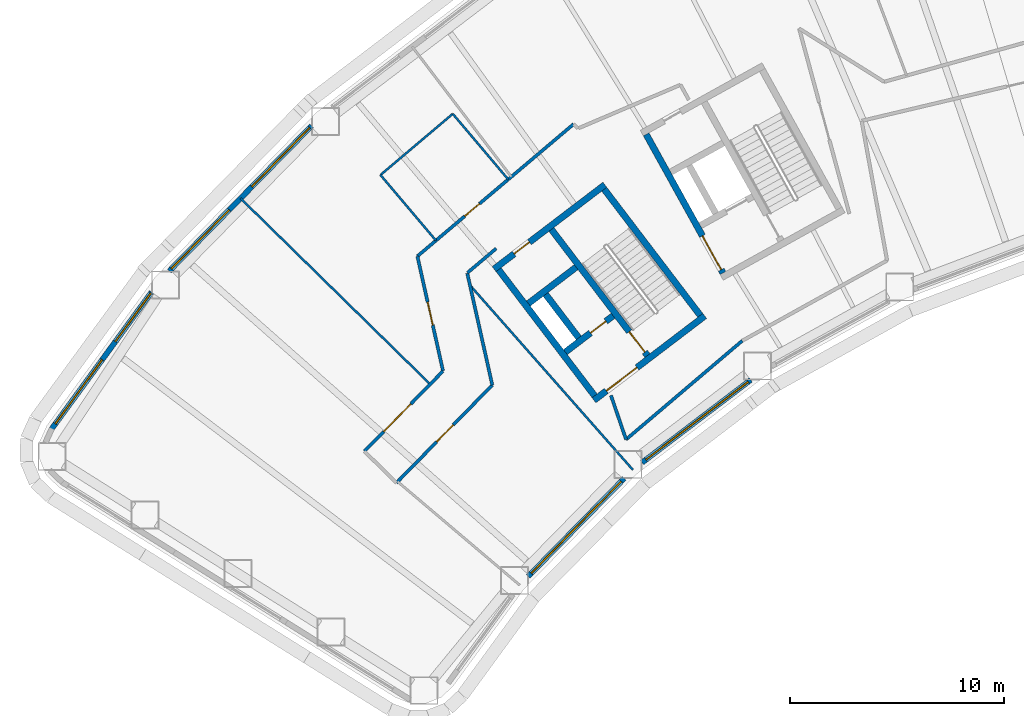
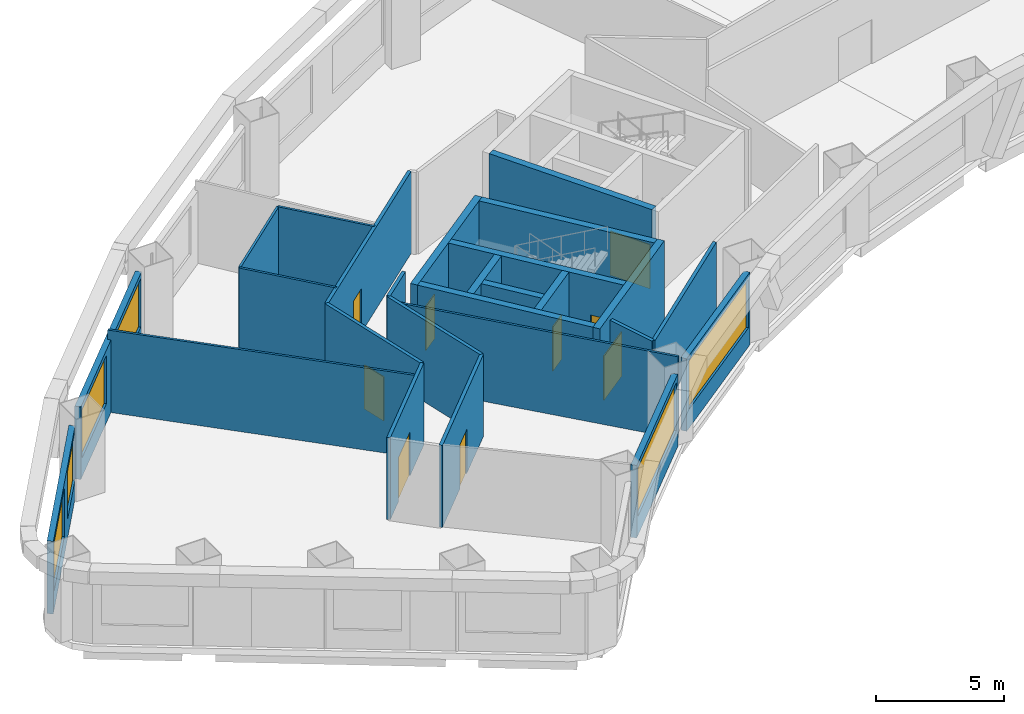
# One storey, part 3 of 11: 26 walls, 9 doors, 6 windows, 15 openings.
"""IFC4 building model written with IfcOpenShell, lengths in metres."""

from ifc_helpers import new_model, si_unit, direction, frame, frame_2d, origin, place, context, subcontext, project, spatial, rectangle, extrude, material, layer, layer_set, type_object, element, fill, save


model = new_model("IFC4")

# Units and contexts
model_context = context("Model", 3, precision=1e-05, world=origin(), true_north=direction((0.0, 1.0)))
body_context = subcontext(model_context, "Body", "Model", "MODEL_VIEW")
ifc_project = project(units=[si_unit("LENGTHUNIT", "METRE"), si_unit("AREAUNIT", "SQUARE_METRE"), si_unit("VOLUMEUNIT", "CUBIC_METRE"), si_unit("PLANEANGLEUNIT", "RADIAN"), si_unit("MASSUNIT", "GRAM", prefix="KILO")], contexts=[model_context])

# Site, building, storey
site_placement = place(None, origin())
site = spatial("IfcSite", under=ifc_project, at=site_placement, CompositionType="ELEMENT")
building_placement = place(site_placement, origin())
building = spatial("IfcBuilding", under=site, at=building_placement, Name="Tuul Gate Civic Tower", CompositionType="ELEMENT")
storey_placement = place(building_placement, frame((0.0, 0.0, 35.699951171875)))
storey = spatial("IfcBuildingStorey", under=building, at=storey_placement, Name="Level 07", CompositionType="ELEMENT", Elevation=35.699951171875)

# Wall, opening, door
ifc_material_1 = material(Name="Concrete C50/60", Category="concrete")
ifc_layer_1 = layer(ifc_material_1, 0.300048828125)
ifc_layer_set_1 = layer_set([ifc_layer_1], Name="Concrete C50/60")
wall_type_1 = type_object("IfcWallType", Name="Core wall C50/60", PredefinedType="SHEAR", material=ifc_layer_set_1)
wall_1_placement = place(storey_placement, frame((-31.19091796875, -13.669677734375, 0.0), z_axis=(0.0, 0.0, 1.0), x_axis=(-0.795606717756, -0.605813461934, 0.0)))
wall_1 = element("IfcWall", 1, at=wall_1_placement, inside=storey, type_object=wall_type_1, Name="Core wall", PredefinedType="SHEAR", context=body_context, shape_type="SweptSolid", body=[
    extrude(rectangle(XDim=6.5, YDim=0.300048828125, at=frame_2d((3.25, 0.0))), origin(), (0.0, 0.0, 1.0), 3.900146484375),
])
opening_1_placement = place(wall_1_placement, frame((3.97509765625, 0.0, 0.0)))
opening_1 = element("IfcOpeningElement", 2, at=opening_1_placement, cuts=wall_1, Name="Opening LB-W1-LOBBY-1", PredefinedType="OPENING", context=body_context, shape_type="SweptSolid", body=[
    extrude(rectangle(XDim=1.800048828125, YDim=2.10009765625, at=frame_2d((0.89990234375, 1.050048828125))), frame((0.0, 0.16015625, 0.0), z_axis=(0.0, -1.0, 0.0), x_axis=(1.0, 0.0, 0.0)), (0.0, 0.0, 1.0), 0.320068359375),
])
ifc_material_2 = material(Name="Steel", Category="steel")
door_type_1 = type_object("IfcDoorType", Name="Lobby door", OperationType="DOUBLE_DOOR_SINGLE_SWING", PredefinedType="DOOR", material=ifc_material_2)
door_1_placement = place(opening_1_placement, origin())
door_1 = element("IfcDoor", 3, at=door_1_placement, inside=storey, type_object=door_type_1, Name="Lobby door W1-LOBBY", OperationType="DOUBLE_DOOR_SINGLE_SWING", OverallHeight=2.10009765625, OverallWidth=1.800048828125, PredefinedType="DOOR", context=body_context, shape_type="SweptSolid", body=[
    extrude(rectangle(XDim=1.800048828125, YDim=2.10009765625, at=frame_2d((0.89990234375, 1.050048828125))), frame((0.0, 0.02490234375, 0.0), z_axis=(0.0, -1.0, 0.0), x_axis=(1.0, 0.0, 0.0)), (0.0, 0.0, 1.0), 0.050048828125),
])
fill(opening_1, door_1)

wall_2_placement = place(storey_placement, frame((-35.470947265625, -13.66064453125, 0.0), z_axis=(0.0, 0.0, 1.0), x_axis=(-0.795615822227, -0.605801504968, 0.0)))
wall_2 = element("IfcWall", 4, at=wall_2_placement, inside=storey, type_object=wall_type_1, Name="Core wall", PredefinedType="SHEAR", context=body_context, shape_type="SweptSolid", body=[
    extrude(rectangle(XDim=2.800048828125, YDim=0.300048828125, at=frame_2d((1.39990234375, 0.0))), origin(), (0.0, 0.0, 1.0), 3.900146484375),
])
opening_2_placement = place(wall_2_placement, frame((0.425048828125, 0.0, 0.0)))
opening_2 = element("IfcOpeningElement", 5, at=opening_2_placement, cuts=wall_2, Name="Opening FB-W1A1", PredefinedType="OPENING", context=body_context, shape_type="SweptSolid", body=[
    extrude(rectangle(XDim=0.89990234375, YDim=2.10009765625, at=frame_2d((0.449951171875, 1.050048828125))), frame((0.0, 0.16015625, 0.0), z_axis=(0.0, -1.0, 0.0), x_axis=(1.0, 0.0, 0.0)), (0.0, 0.0, 1.0), 0.320068359375),
])
ifc_material_3 = material(Name="Steel", Category="steel")
door_type_2 = type_object("IfcDoorType", Name="Store door", OperationType="NOTDEFINED", PredefinedType="DOOR", material=ifc_material_3)
door_2_placement = place(opening_2_placement, frame((0.89990234375, 0.0, 0.0), z_axis=(0.0, 0.0, 1.0), x_axis=(-1.0, 0.0, 0.0)))
door_2 = element("IfcDoor", 6, at=door_2_placement, inside=storey, type_object=door_type_2, Name="Store door W1A1", OperationType="SINGLE_SWING_RIGHT", OverallHeight=2.10009765625, OverallWidth=0.89990234375, PredefinedType="DOOR", context=body_context, shape_type="SweptSolid", body=[
    extrude(rectangle(XDim=0.89990234375, YDim=2.10009765625, at=frame_2d((0.449951171875, 1.050048828125))), frame((0.0, 0.02490234375, 0.0), z_axis=(0.0, -1.0, 0.0), x_axis=(1.0, 0.0, 0.0)), (0.0, 0.0, 1.0), 0.050048828125),
])
fill(opening_2, door_2)

# Wall
wall_3_placement = place(storey_placement, frame((-37.197509765625, -11.39306640625, 0.0), z_axis=(0.0, 0.0, 1.0), x_axis=(-0.795583820278, -0.605843531707, 0.0)))
element("IfcWall", 7, at=wall_3_placement, inside=storey, type_object=wall_type_1, Name="Core wall", PredefinedType="SHEAR", context=body_context, shape_type="SweptSolid", body=[
    extrude(rectangle(XDim=2.7998046875, YDim=0.300048828125, at=frame_2d((1.39990234375, 0.0))), origin(), (0.0, 0.0, 1.0), 3.900146484375),
])

# Wall, opening, door
wall_4_placement = place(storey_placement, frame((-35.855224609375, -7.543212890625, 0.0), z_axis=(0.0, 0.0, 1.0), x_axis=(-0.79563860527, -0.605771582202, 0.0)))
wall_4 = element("IfcWall", 8, at=wall_4_placement, inside=storey, type_object=wall_type_1, Name="Core wall", PredefinedType="SHEAR", context=body_context, shape_type="SweptSolid", body=[
    extrude(rectangle(XDim=6.5, YDim=0.300048828125, at=frame_2d((3.25, 0.0))), origin(), (0.0, 0.0, 1.0), 3.900146484375),
])
opening_3_placement = place(wall_4_placement, frame((4.425048828125, 0.0, 0.0)))
opening_3 = element("IfcOpeningElement", 9, at=opening_3_placement, cuts=wall_4, Name="Opening A-D19", PredefinedType="OPENING", context=body_context, shape_type="SweptSolid", body=[
    extrude(rectangle(XDim=0.89990234375, YDim=2.10009765625, at=frame_2d((0.449951171875, 1.050048828125))), frame((0.0, 0.16015625, 0.0), z_axis=(0.0, -1.0, 0.0), x_axis=(1.0, 0.0, 0.0)), (0.0, 0.0, 1.0), 0.320068359375),
])
ifc_material_4 = material(Name="Timber door leaf", Category="wood")
door_type_3 = type_object("IfcDoorType", Name="Door D09", OperationType="NOTDEFINED", PredefinedType="DOOR", material=ifc_material_4)
door_3_placement = place(opening_3_placement, origin())
door_3 = element("IfcDoor", 10, at=door_3_placement, inside=storey, type_object=door_type_3, Name="Door A-D19", OperationType="SINGLE_SWING_LEFT", OverallHeight=2.10009765625, OverallWidth=0.89990234375, PredefinedType="DOOR", context=body_context, shape_type="SweptSolid", body=[
    extrude(rectangle(XDim=0.89990234375, YDim=2.10009765625, at=frame_2d((0.449951171875, 1.050048828125))), frame((0.0, 0.02490234375, 0.0), z_axis=(0.0, -1.0, 0.0), x_axis=(1.0, 0.0, 0.0)), (0.0, 0.0, 1.0), 0.050048828125),
])
fill(opening_3, door_3)

# Wall
wall_5_placement = place(storey_placement, frame((-31.401123046875, -13.64111328125, 0.0), z_axis=(0.0, 0.0, 1.0), x_axis=(-0.605769822278, 0.795639945213, 0.0)))
element("IfcWall", 11, at=wall_5_placement, inside=storey, type_object=wall_type_1, Name="Core wall", PredefinedType="SHEAR", context=body_context, shape_type="SweptSolid", body=[
    extrude(rectangle(XDim=7.39990234375, YDim=0.300048828125, at=frame_2d((3.699951171875, 0.0))), origin(), (0.0, 0.0, 1.0), 3.900146484375),
])

# Wall, opening, door
wall_6_placement = place(storey_placement, frame((-33.867431640625, -15.51904296875, 0.0), z_axis=(0.0, 0.0, 1.0), x_axis=(-0.605769822278, 0.795639945213, 0.0)))
wall_6 = element("IfcWall", 12, at=wall_6_placement, inside=storey, type_object=wall_type_1, Name="Core wall", PredefinedType="SHEAR", context=body_context, shape_type="SweptSolid", body=[
    extrude(rectangle(XDim=7.39990234375, YDim=0.300048828125, at=frame_2d((3.699951171875, 0.0))), origin(), (0.0, 0.0, 1.0), 3.900146484375),
])
opening_4_placement = place(wall_6_placement, frame((0.199951171875, 0.0, 0.0)))
opening_4 = element("IfcOpeningElement", 13, at=opening_4_placement, cuts=wall_6, Name="Opening SD-ST-1", PredefinedType="OPENING", context=body_context, shape_type="SweptSolid", body=[
    extrude(rectangle(XDim=1.199951171875, YDim=2.10009765625, at=frame_2d((0.60009765625, 1.050048828125))), frame((0.0, 0.16015625, 0.0), z_axis=(0.0, -1.0, 0.0), x_axis=(1.0, 0.0, 0.0)), (0.0, 0.0, 1.0), 0.320068359375),
])
ifc_material_5 = material(Name="Steel", Category="steel")
door_type_4 = type_object("IfcDoorType", Name="Stair door", OperationType="NOTDEFINED", PredefinedType="DOOR", material=ifc_material_5)
door_4_placement = place(opening_4_placement, origin())
door_4 = element("IfcDoor", 14, at=door_4_placement, inside=storey, type_object=door_type_4, Name="Stair door ST-1", OperationType="SINGLE_SWING_LEFT", OverallHeight=2.10009765625, OverallWidth=1.199951171875, PredefinedType="DOOR", context=body_context, shape_type="SweptSolid", body=[
    extrude(rectangle(XDim=1.199951171875, YDim=2.10009765625, at=frame_2d((0.60009765625, 1.050048828125))), frame((0.0, 0.02490234375, 0.0), z_axis=(0.0, -1.0, 0.0), x_axis=(1.0, 0.0, 0.0)), (0.0, 0.0, 1.0), 0.050048828125),
])
fill(opening_4, door_4)

# Walls
wall_7_placement = place(storey_placement, frame((-37.073486328125, -14.6923828125, 0.0), z_axis=(0.0, 0.0, 1.0), x_axis=(-0.605728760074, 0.79567120673, 0.0)))
element("IfcWall", 15, at=wall_7_placement, inside=storey, type_object=wall_type_1, Name="Core wall", PredefinedType="SHEAR", context=body_context, shape_type="SweptSolid", body=[
    extrude(rectangle(XDim=2.550048828125, YDim=0.300048828125, at=frame_2d((1.27490234375, 0.0))), origin(), (0.0, 0.0, 1.0), 3.900146484375),
])
wall_8_placement = place(storey_placement, frame((-36.333984375, -17.397216796875, 0.0), z_axis=(0.0, 0.0, 1.0), x_axis=(-0.605753921168, 0.795652051458, 0.0)))
element("IfcWall", 16, at=wall_8_placement, inside=storey, type_object=wall_type_1, Name="Core wall", PredefinedType="SHEAR", context=body_context, shape_type="SweptSolid", body=[
    extrude(rectangle(XDim=7.400146484375, YDim=0.300048828125, at=frame_2d((3.7001953125, 0.0))), origin(), (0.0, 0.0, 1.0), 3.900146484375),
])

# Wall, opening, door
wall_9_placement = place(storey_placement, frame((-30.33837890625, -11.6630859375, 0.0), z_axis=(0.0, 0.0, 1.0), x_axis=(-0.484751894226, 0.874651702704, 0.0)))
wall_9 = element("IfcWall", 17, at=wall_9_placement, inside=storey, type_object=wall_type_1, Name="Core wall", PredefinedType="SHEAR", context=body_context, shape_type="SweptSolid", body=[
    extrude(rectangle(XDim=7.39990234375, YDim=0.300048828125, at=frame_2d((3.699951171875, 0.0))), origin(), (0.0, 0.0, 1.0), 3.900146484375),
])
opening_5_placement = place(wall_9_placement, frame((0.175048828125, 0.0, 0.0)))
opening_5 = element("IfcOpeningElement", 18, at=opening_5_placement, cuts=wall_9, Name="Opening LB-W2-FLOBBY-1", PredefinedType="OPENING", context=body_context, shape_type="SweptSolid", body=[
    extrude(rectangle(XDim=1.800048828125, YDim=2.10009765625, at=frame_2d((0.89990234375, 1.050048828125))), frame((0.0, 0.16015625, 0.0), z_axis=(0.0, -1.0, 0.0), x_axis=(1.0, 0.0, 0.0)), (0.0, 0.0, 1.0), 0.320068359375),
])
door_5_placement = place(opening_5_placement, frame((1.800048828125, 0.0, 0.0), z_axis=(0.0, 0.0, 1.0), x_axis=(-1.0, 0.0, 0.0)))
door_5 = element("IfcDoor", 19, at=door_5_placement, inside=storey, type_object=door_type_1, Name="Lobby door W2-FLOBBY", OperationType="DOUBLE_DOOR_SINGLE_SWING", OverallHeight=2.10009765625, OverallWidth=1.800048828125, PredefinedType="DOOR", context=body_context, shape_type="SweptSolid", body=[
    extrude(rectangle(XDim=1.800048828125, YDim=2.10009765625, at=frame_2d((0.900146484375, 1.050048828125))), frame((0.0, 0.02490234375, 0.0), z_axis=(0.0, -1.0, 0.0), x_axis=(1.0, 0.0, 0.0)), (0.0, 0.0, 1.0), 0.050048828125),
])
fill(opening_5, door_5)

ifc_material_6 = material(Name="Gypsum board partition")
ifc_layer_2 = layer(ifc_material_6, 0.14990234375)
ifc_layer_set_2 = layer_set([ifc_layer_2], Name="Gypsum board partition")
wall_type_2 = type_object("IfcWallType", Name="Corridor wall P150", PredefinedType="PARTITIONING", material=ifc_layer_set_2)
wall_10_placement = place(storey_placement, frame((-44.60888671875, -10.881103515625, 0.0), z_axis=(0.0, 0.0, 1.0), x_axis=(0.763538505886, 0.645762301493, 0.0)))
wall_10 = element("IfcWall", 20, at=wall_10_placement, inside=storey, type_object=wall_type_2, Name="p045", PredefinedType="PARTITIONING", context=body_context, shape_type="SweptSolid", body=[
    extrude(rectangle(XDim=9.550048828125, YDim=0.14990234375, at=frame_2d((4.77490234375, 0.0))), origin(), (0.0, 0.0, 1.0), 3.900146484375),
])
opening_6_placement = place(wall_10_placement, frame((2.894775390625, 0.0, 0.0)))
opening_6 = element("IfcOpeningElement", 21, at=opening_6_placement, cuts=wall_10, Name="Opening A-D10", PredefinedType="OPENING", context=body_context, shape_type="SweptSolid", body=[
    extrude(rectangle(XDim=0.89990234375, YDim=2.10009765625, at=frame_2d((0.449951171875, 1.050048828125))), frame((0.0, 0.0849609375, 0.0), z_axis=(0.0, -1.0, 0.0), x_axis=(1.0, 0.0, 0.0)), (0.0, 0.0, 1.0), 0.169921875),
])
door_6_placement = place(opening_6_placement, origin())
door_6 = element("IfcDoor", 22, at=door_6_placement, inside=storey, type_object=door_type_3, Name="Door A-D10", OperationType="SINGLE_SWING_RIGHT", OverallHeight=2.10009765625, OverallWidth=0.89990234375, PredefinedType="DOOR", context=body_context, shape_type="SweptSolid", body=[
    extrude(rectangle(XDim=0.89990234375, YDim=2.10009765625, at=frame_2d((0.449951171875, 1.050048828125))), frame((0.0, 0.02490234375, 0.0), z_axis=(0.0, -1.0, 0.0), x_axis=(1.0, 0.0, 0.0)), (0.0, 0.0, 1.0), 0.050048828125),
])
fill(opening_6, door_6)

wall_11_placement = place(storey_placement, frame((-44.60888671875, -10.881103515625, 0.0), z_axis=(0.0, 0.0, 1.0), x_axis=(0.218273109258, -0.97588772396, 0.0)))
wall_11 = element("IfcWall", 23, at=wall_11_placement, inside=storey, type_object=wall_type_2, Name="p050", PredefinedType="PARTITIONING", context=body_context, shape_type="SweptSolid", body=[
    extrude(rectangle(XDim=5.486328125, YDim=0.14990234375, at=frame_2d((2.7431640625, 0.0))), origin(), (0.0, 0.0, 1.0), 3.900146484375),
])
opening_7_placement = place(wall_11_placement, frame((2.193115234375, 0.0, 0.0)))
opening_7 = element("IfcOpeningElement", 24, at=opening_7_placement, cuts=wall_11, Name="Opening A-D11", PredefinedType="OPENING", context=body_context, shape_type="SweptSolid", body=[
    extrude(rectangle(XDim=1.10009765625, YDim=2.10009765625, at=frame_2d((0.550048828125, 1.050048828125))), frame((0.0, 0.0849609375, 0.0), z_axis=(0.0, -1.0, 0.0), x_axis=(1.0, 0.0, 0.0)), (0.0, 0.0, 1.0), 0.169921875),
])
ifc_material_7 = material(Name="Timber door leaf", Category="wood")
door_type_5 = type_object("IfcDoorType", Name="Door D11", OperationType="NOTDEFINED", PredefinedType="DOOR", material=ifc_material_7)
door_7_placement = place(opening_7_placement, frame((1.10009765625, 0.0, 0.0), z_axis=(0.0, 0.0, 1.0), x_axis=(-1.0, 0.0, 0.0)))
door_7 = element("IfcDoor", 25, at=door_7_placement, inside=storey, type_object=door_type_5, Name="Door A-D11", OperationType="SINGLE_SWING_LEFT", OverallHeight=2.10009765625, OverallWidth=1.10009765625, PredefinedType="DOOR", context=body_context, shape_type="SweptSolid", body=[
    extrude(rectangle(XDim=1.10009765625, YDim=2.10009765625, at=frame_2d((0.550048828125, 1.050048828125))), frame((0.0, 0.02490234375, 0.0), z_axis=(0.0, -1.0, 0.0), x_axis=(1.0, 0.0, 0.0)), (0.0, 0.0, 1.0), 0.050048828125),
])
fill(opening_7, door_7)

wall_12_placement = place(storey_placement, frame((-47.08349609375, -19.9912109375, 0.0), z_axis=(0.0, 0.0, 1.0), x_axis=(0.700008952993, 0.714134067055, 0.0)))
wall_12 = element("IfcWall", 26, at=wall_12_placement, inside=storey, type_object=wall_type_2, Name="p051", PredefinedType="PARTITIONING", context=body_context, shape_type="SweptSolid", body=[
    extrude(rectangle(XDim=5.237060546875, YDim=0.14990234375, at=frame_2d((2.61865234375, 0.0))), origin(), (0.0, 0.0, 1.0), 3.900146484375),
])
opening_8_placement = place(wall_12_placement, frame((1.2939453125, 0.0, 0.0)))
opening_8 = element("IfcOpeningElement", 27, at=opening_8_placement, cuts=wall_12, Name="Opening A-D12", PredefinedType="OPENING", context=body_context, shape_type="SweptSolid", body=[
    extrude(rectangle(XDim=1.800048828125, YDim=2.10009765625, at=frame_2d((0.89990234375, 1.050048828125))), frame((0.0, 0.0849609375, 0.0), z_axis=(0.0, -1.0, 0.0), x_axis=(1.0, 0.0, 0.0)), (0.0, 0.0, 1.0), 0.169921875),
])
ifc_material_8 = material(Name="Timber door leaf, double", Category="wood")
door_type_6 = type_object("IfcDoorType", Name="Door D18", OperationType="DOUBLE_DOOR_SINGLE_SWING", PredefinedType="DOOR", material=ifc_material_8)
door_8_placement = place(opening_8_placement, origin())
door_8 = element("IfcDoor", 28, at=door_8_placement, inside=storey, type_object=door_type_6, Name="Door A-D12", OperationType="DOUBLE_DOOR_SINGLE_SWING", OverallHeight=2.10009765625, OverallWidth=1.800048828125, PredefinedType="DOOR", context=body_context, shape_type="SweptSolid", body=[
    extrude(rectangle(XDim=1.800048828125, YDim=2.10009765625, at=frame_2d((0.89990234375, 1.050048828125))), frame((0.0, 0.02490234375, 0.0), z_axis=(0.0, -1.0, 0.0), x_axis=(1.0, 0.0, 0.0)), (0.0, 0.0, 1.0), 0.050048828125),
])
fill(opening_8, door_8)

wall_13_placement = place(storey_placement, frame((-45.583740234375, -21.461181640625, 0.0), z_axis=(0.0, 0.0, 1.0), x_axis=(0.700020975369, 0.714122282276, 0.0)))
wall_13 = element("IfcWall", 29, at=wall_13_placement, inside=storey, type_object=wall_type_2, Name="p054", PredefinedType="PARTITIONING", context=body_context, shape_type="SweptSolid", body=[
    extrude(rectangle(XDim=6.388671875, YDim=0.14990234375, at=frame_2d((3.1943359375, 0.0))), origin(), (0.0, 0.0, 1.0), 3.900146484375),
])
opening_9_placement = place(wall_13_placement, frame((2.682373046875, 0.0, 0.0)))
opening_9 = element("IfcOpeningElement", 30, at=opening_9_placement, cuts=wall_13, Name="Opening A-D17", PredefinedType="OPENING", context=body_context, shape_type="SweptSolid", body=[
    extrude(rectangle(XDim=1.10009765625, YDim=2.10009765625, at=frame_2d((0.550048828125, 1.050048828125))), frame((0.0, 0.0849609375, 0.0), z_axis=(0.0, -1.0, 0.0), x_axis=(1.0, 0.0, 0.0)), (0.0, 0.0, 1.0), 0.169921875),
])
door_9_placement = place(opening_9_placement, frame((1.10009765625, 0.0, 0.0), z_axis=(0.0, 0.0, 1.0), x_axis=(-1.0, 0.0, 0.0)))
door_9 = element("IfcDoor", 31, at=door_9_placement, inside=storey, type_object=door_type_5, Name="Door A-D17", OperationType="SINGLE_SWING_LEFT", OverallHeight=2.10009765625, OverallWidth=1.10009765625, PredefinedType="DOOR", context=body_context, shape_type="SweptSolid", body=[
    extrude(rectangle(XDim=1.10009765625, YDim=2.10009765625, at=frame_2d((0.550048828125, 1.050048828125))), frame((0.0, 0.02490234375, 0.0), z_axis=(0.0, -1.0, 0.0), x_axis=(1.0, 0.0, 0.0)), (0.0, 0.0, 1.0), 0.050048828125),
])
fill(opening_9, door_9)

# Walls
wall_14_placement = place(storey_placement, frame((-35.569580078125, -17.380859375, 0.0), z_axis=(0.0, 0.0, 1.0), x_axis=(0.324097578898, -0.946023656867, 0.0)))
element("IfcWall", 32, at=wall_14_placement, inside=storey, type_object=wall_type_2, Name="p061", PredefinedType="PARTITIONING", context=body_context, shape_type="SweptSolid", body=[
    extrude(rectangle(XDim=2.1748046875, YDim=0.14990234375, at=frame_2d((1.08740234375, 0.0))), origin(), (0.0, 0.0, 1.0), 3.900146484375),
])
wall_15_placement = place(storey_placement, frame((-34.86474609375, -19.438232421875, 0.0), z_axis=(0.0, 0.0, 1.0), x_axis=(0.762057773154, 0.647509034976, 0.0)))
element("IfcWall", 33, at=wall_15_placement, inside=storey, type_object=wall_type_2, Name="p062", PredefinedType="PARTITIONING", context=body_context, shape_type="SweptSolid", body=[
    extrude(rectangle(XDim=7.11865234375, YDim=0.14990234375, at=frame_2d((3.559326171875, 0.0))), origin(), (0.0, 0.0, 1.0), 3.900146484375),
])
wall_16_placement = place(storey_placement, frame((-42.279296875, -11.67578125, 0.0), z_axis=(0.0, 0.0, 1.0), x_axis=(0.21833615178, -0.975873621339, 0.0)))
element("IfcWall", 34, at=wall_16_placement, inside=storey, type_object=wall_type_2, Name="p067", PredefinedType="PARTITIONING", context=body_context, shape_type="SweptSolid", body=[
    extrude(rectangle(XDim=5.3505859375, YDim=0.14990234375, at=frame_2d((2.67529296875, 0.0))), origin(), (0.0, 0.0, 1.0), 3.900146484375),
])
wall_17_placement = place(storey_placement, frame((-42.273193359375, -11.656005859375, 0.0), z_axis=(0.0, 0.0, 1.0), x_axis=(0.763749802312, 0.645512385217, 0.0)))
element("IfcWall", 35, at=wall_17_placement, inside=storey, type_object=wall_type_2, Name="p068", PredefinedType="PARTITIONING", context=body_context, shape_type="SweptSolid", body=[
    extrude(rectangle(XDim=1.757080078125, YDim=0.14990234375, at=frame_2d((0.87841796875, 0.0))), origin(), (0.0, 0.0, 1.0), 3.900146484375),
])

# Wall, openings, windows
ifc_material_9 = material(Name="Precast concrete C40/50", Category="concrete")
ifc_layer_3 = layer(ifc_material_9, 0.25)
ifc_layer_set_3 = layer_set([ifc_layer_3], Name="Precast concrete C40/50")
wall_type_3 = type_object("IfcWallType", Name="External wall", PredefinedType="STANDARD", material=ifc_layer_set_3)
wall_18_placement = place(storey_placement, frame((-49.548095703125, -4.791748046875, 0.0), z_axis=(0.0, 0.0, 1.0), x_axis=(-0.699994476854, -0.714148256578, 0.0)))
wall_18 = element("IfcWall", 36, at=wall_18_placement, inside=storey, type_object=wall_type_3, Name="External wall", PredefinedType="STANDARD", context=body_context, shape_type="SweptSolid", body=[
    extrude(rectangle(XDim=9.487060546875, YDim=0.25, at=frame_2d((4.74365234375, 0.0))), origin(), (0.0, 0.0, 1.0), 3.449951171875),
])
opening_10_placement = place(wall_18_placement, frame((0.13037109375, 0.0, 0.89990234375)))
opening_10 = element("IfcOpeningElement", 37, at=opening_10_placement, cuts=wall_18, Name="Opening W22", PredefinedType="OPENING", context=body_context, shape_type="SweptSolid", body=[
    extrude(rectangle(XDim=3.85009765625, YDim=2.300048828125, at=frame_2d((1.925048828125, 1.14990234375))), frame((0.0, 0.135009765625, 0.0), z_axis=(0.0, -1.0, 0.0), x_axis=(1.0, 0.0, 0.0)), (0.0, 0.0, 1.0), 0.27001953125),
])
opening_11_placement = place(wall_18_placement, frame((5.501708984375, 0.0, 0.89990234375)))
opening_11 = element("IfcOpeningElement", 38, at=opening_11_placement, cuts=wall_18, Name="Opening W22", PredefinedType="OPENING", context=body_context, shape_type="SweptSolid", body=[
    extrude(rectangle(XDim=3.85009765625, YDim=2.300048828125, at=frame_2d((1.925048828125, 1.14990234375))), frame((0.0, 0.135009765625, 0.0), z_axis=(0.0, -1.0, 0.0), x_axis=(1.0, 0.0, 0.0)), (0.0, 0.0, 1.0), 0.27001953125),
])
ifc_material_10 = material(Name="Glass", Category="glass")
window_type_1 = type_object("IfcWindowType", Name="Window W22 3850 x 2300", PartitioningType="SINGLE_PANEL", PredefinedType="WINDOW", material=ifc_material_10)
window_1_placement = place(opening_10_placement, origin())
window_1 = element("IfcWindow", 39, at=window_1_placement, inside=storey, type_object=window_type_1, Name="Window", OverallHeight=2.300048828125, OverallWidth=3.85009765625, PartitioningType="SINGLE_PANEL", PredefinedType="WINDOW", context=body_context, shape_type="SweptSolid", body=[
    extrude(rectangle(XDim=3.85009765625, YDim=2.300048828125, at=frame_2d((1.925048828125, 1.14990234375))), frame((0.0, 0.030029296875, 0.0), z_axis=(0.0, -1.0, 0.0), x_axis=(1.0, 0.0, 0.0)), (0.0, 0.0, 1.0), 0.06005859375),
])
fill(opening_10, window_1)
window_2_placement = place(opening_11_placement, origin())
window_2 = element("IfcWindow", 40, at=window_2_placement, inside=storey, type_object=window_type_1, Name="Window", OverallHeight=2.300048828125, OverallWidth=3.85009765625, PartitioningType="SINGLE_PANEL", PredefinedType="WINDOW", context=body_context, shape_type="SweptSolid", body=[
    extrude(rectangle(XDim=3.85009765625, YDim=2.300048828125, at=frame_2d((1.925048828125, 1.14990234375))), frame((0.0, 0.030029296875, 0.0), z_axis=(0.0, -1.0, 0.0), x_axis=(1.0, 0.0, 0.0)), (0.0, 0.0, 1.0), 0.06005859375),
])
fill(opening_11, window_2)

wall_19_placement = place(storey_placement, frame((-57.02197265625, -12.556884765625, 0.0), z_axis=(0.0, 0.0, 1.0), x_axis=(-0.589806928208, -0.807544294412, 0.0)))
wall_19 = element("IfcWall", 41, at=wall_19_placement, inside=storey, type_object=wall_type_3, Name="External wall", PredefinedType="STANDARD", context=body_context, shape_type="SweptSolid", body=[
    extrude(rectangle(XDim=7.912841796875, YDim=0.25, at=frame_2d((3.95654296875, 0.0))), origin(), (0.0, 0.0, 1.0), 3.449951171875),
])
opening_12_placement = place(wall_19_placement, frame((0.060791015625, 0.0, 0.89990234375)))
opening_12 = element("IfcOpeningElement", 42, at=opening_12_placement, cuts=wall_19, Name="Opening W23", PredefinedType="OPENING", context=body_context, shape_type="SweptSolid", body=[
    extrude(rectangle(XDim=2.800048828125, YDim=2.300048828125, at=frame_2d((1.39990234375, 1.14990234375))), frame((0.0, 0.135009765625, 0.0), z_axis=(0.0, -1.0, 0.0), x_axis=(1.0, 0.0, 0.0)), (0.0, 0.0, 1.0), 0.27001953125),
])
opening_13_placement = place(wall_19_placement, frame((3.912109375, 0.0, 0.89990234375)))
opening_13 = element("IfcOpeningElement", 43, at=opening_13_placement, cuts=wall_19, Name="Opening W21", PredefinedType="OPENING", context=body_context, shape_type="SweptSolid", body=[
    extrude(rectangle(XDim=3.699951171875, YDim=2.300048828125, at=frame_2d((1.85009765625, 1.14990234375))), frame((0.0, 0.135009765625, 0.0), z_axis=(0.0, -1.0, 0.0), x_axis=(1.0, 0.0, 0.0)), (0.0, 0.0, 1.0), 0.27001953125),
])
ifc_material_11 = material(Name="Glass", Category="glass")
window_type_2 = type_object("IfcWindowType", Name="Window W21 3700 x 2300", PartitioningType="SINGLE_PANEL", PredefinedType="WINDOW", material=ifc_material_11)
window_3_placement = place(opening_13_placement, origin())
window_3 = element("IfcWindow", 44, at=window_3_placement, inside=storey, type_object=window_type_2, Name="Window", OverallHeight=2.300048828125, OverallWidth=3.699951171875, PartitioningType="SINGLE_PANEL", PredefinedType="WINDOW", context=body_context, shape_type="SweptSolid", body=[
    extrude(rectangle(XDim=3.699951171875, YDim=2.300048828125, at=frame_2d((1.85009765625, 1.14990234375))), frame((0.0, 0.030029296875, 0.0), z_axis=(0.0, -1.0, 0.0), x_axis=(1.0, 0.0, 0.0)), (0.0, 0.0, 1.0), 0.06005859375),
])
fill(opening_13, window_3)
ifc_material_12 = material(Name="Glass", Category="glass")
window_type_3 = type_object("IfcWindowType", Name="Window W23 2800 x 2300", PartitioningType="SINGLE_PANEL", PredefinedType="WINDOW", material=ifc_material_12)
window_4_placement = place(opening_12_placement, origin())
window_4 = element("IfcWindow", 45, at=window_4_placement, inside=storey, type_object=window_type_3, Name="Window", OverallHeight=2.300048828125, OverallWidth=2.800048828125, PartitioningType="SINGLE_PANEL", PredefinedType="WINDOW", context=body_context, shape_type="SweptSolid", body=[
    extrude(rectangle(XDim=2.800048828125, YDim=2.300048828125, at=frame_2d((1.39990234375, 1.14990234375))), frame((0.0, 0.030029296875, 0.0), z_axis=(0.0, -1.0, 0.0), x_axis=(1.0, 0.0, 0.0)), (0.0, 0.0, 1.0), 0.06005859375),
])
fill(opening_12, window_4)

# Wall, opening, window
wall_20_placement = place(storey_placement, frame((-39.430908203125, -25.827392578125, 0.0), z_axis=(0.0, 0.0, 1.0), x_axis=(0.699998211198, 0.714144596227, 0.0)))
wall_20 = element("IfcWall", 46, at=wall_20_placement, inside=storey, type_object=wall_type_3, Name="External wall", PredefinedType="STANDARD", context=body_context, shape_type="SweptSolid", body=[
    extrude(rectangle(XDim=6.40283203125, YDim=0.25, at=frame_2d((3.201416015625, 0.0))), origin(), (0.0, 0.0, 1.0), 3.449951171875),
])
opening_14_placement = place(wall_20_placement, frame((0.19873046875, 0.0, 0.89990234375)))
opening_14 = element("IfcOpeningElement", 47, at=opening_14_placement, cuts=wall_20, Name="Opening W26", PredefinedType="OPENING", context=body_context, shape_type="SweptSolid", body=[
    extrude(rectangle(XDim=6.0, YDim=2.300048828125, at=frame_2d((3.0, 1.14990234375))), frame((0.0, 0.135009765625, 0.0), z_axis=(0.0, -1.0, 0.0), x_axis=(1.0, 0.0, 0.0)), (0.0, 0.0, 1.0), 0.27001953125),
])
ifc_material_13 = material(Name="Glass", Category="glass")
window_type_4 = type_object("IfcWindowType", Name="Window W26 6000 x 2300", PartitioningType="SINGLE_PANEL", PredefinedType="WINDOW", material=ifc_material_13)
window_5_placement = place(opening_14_placement, origin())
window_5 = element("IfcWindow", 48, at=window_5_placement, inside=storey, type_object=window_type_4, Name="Window", OverallHeight=2.300048828125, OverallWidth=6.0, PartitioningType="SINGLE_PANEL", PredefinedType="WINDOW", context=body_context, shape_type="SweptSolid", body=[
    extrude(rectangle(XDim=6.0, YDim=2.300048828125, at=frame_2d((3.0, 1.14990234375))), frame((0.0, 0.030029296875, 0.0), z_axis=(0.0, -1.0, 0.0), x_axis=(1.0, 0.0, 0.0)), (0.0, 0.0, 1.0), 0.06005859375),
])
fill(opening_14, window_5)

wall_21_placement = place(storey_placement, frame((-34.116943359375, -20.5185546875, 0.0), z_axis=(0.0, 0.0, 1.0), x_axis=(0.795571471624, 0.605859747416, 0.0)))
wall_21 = element("IfcWall", 49, at=wall_21_placement, inside=storey, type_object=wall_type_3, Name="External wall", PredefinedType="STANDARD", context=body_context, shape_type="SweptSolid", body=[
    extrude(rectangle(XDim=6.375244140625, YDim=0.25, at=frame_2d((3.1875, 0.0))), origin(), (0.0, 0.0, 1.0), 3.449951171875),
])
opening_15_placement = place(wall_21_placement, frame((0.226806640625, 0.0, 0.89990234375)))
opening_15 = element("IfcOpeningElement", 50, at=opening_15_placement, cuts=wall_21, Name="Opening W26", PredefinedType="OPENING", context=body_context, shape_type="SweptSolid", body=[
    extrude(rectangle(XDim=6.0, YDim=2.300048828125, at=frame_2d((3.0, 1.14990234375))), frame((0.0, 0.135009765625, 0.0), z_axis=(0.0, -1.0, 0.0), x_axis=(1.0, 0.0, 0.0)), (0.0, 0.0, 1.0), 0.27001953125),
])
window_6_placement = place(opening_15_placement, origin())
window_6 = element("IfcWindow", 51, at=window_6_placement, inside=storey, type_object=window_type_4, Name="Window", OverallHeight=2.300048828125, OverallWidth=6.0, PartitioningType="SINGLE_PANEL", PredefinedType="WINDOW", context=body_context, shape_type="SweptSolid", body=[
    extrude(rectangle(XDim=6.0, YDim=2.300048828125, at=frame_2d((3.0, 1.14990234375))), frame((0.0, 0.030029296875, 0.0), z_axis=(0.0, -1.0, 0.0), x_axis=(1.0, 0.0, 0.0)), (0.0, 0.0, 1.0), 0.06005859375),
])
fill(opening_15, window_6)

# Walls
ifc_material_14 = material(Name="Gypsum board partition")
ifc_layer_4 = layer(ifc_material_14, 0.10009765625)
ifc_layer_set_4 = layer_set([ifc_layer_4], Name="Gypsum board partition")
wall_type_4 = type_object("IfcWallType", Name="Partition P100", PredefinedType="PARTITIONING", material=ifc_layer_set_4)
wall_22_placement = place(storey_placement, frame((-46.33203125, -7.08642578125, 0.0), z_axis=(0.0, 0.0, 1.0), x_axis=(0.645778474233, -0.763524827506, 0.0)))
element("IfcWall", 52, at=wall_22_placement, inside=storey, type_object=wall_type_4, Name="p046", PredefinedType="PARTITIONING", context=body_context, shape_type="SweptSolid", body=[
    extrude(rectangle(XDim=4.010009765625, YDim=0.10009765625, at=frame_2d((2.0048828125, 0.0))), origin(), (0.0, 0.0, 1.0), 3.900146484375),
])
wall_23_placement = place(storey_placement, frame((-46.33203125, -7.08642578125, 0.0), z_axis=(0.0, 0.0, 1.0), x_axis=(0.763555960982, 0.645741662315, 0.0)))
element("IfcWall", 53, at=wall_23_placement, inside=storey, type_object=wall_type_4, Name="p047", PredefinedType="PARTITIONING", context=body_context, shape_type="SweptSolid", body=[
    extrude(rectangle(XDim=4.420166015625, YDim=0.10009765625, at=frame_2d((2.2099609375, 0.0))), origin(), (0.0, 0.0, 1.0), 3.900146484375),
])
wall_24_placement = place(storey_placement, frame((-42.95703125, -4.232177734375, 0.0), z_axis=(0.0, 0.0, 1.0), x_axis=(0.64574297958, -0.763554846965, 0.0)))
element("IfcWall", 54, at=wall_24_placement, inside=storey, type_object=wall_type_4, Name="p048", PredefinedType="PARTITIONING", context=body_context, shape_type="SweptSolid", body=[
    extrude(rectangle(XDim=4.009765625, YDim=0.10009765625, at=frame_2d((2.0048828125, 0.0))), origin(), (0.0, 0.0, 1.0), 3.900146484375),
])
wall_25_placement = place(storey_placement, frame((-52.870361328125, -8.173828125, 0.0), z_axis=(0.0, 0.0, 1.0), x_axis=(0.714117400157, -0.700025955799, 0.0)))
element("IfcWall", 55, at=wall_25_placement, inside=storey, type_object=wall_type_4, Name="p049", PredefinedType="PARTITIONING", context=body_context, shape_type="SweptSolid", body=[
    extrude(rectangle(XDim=12.405029296875, YDim=0.10009765625, at=frame_2d((6.20263671875, 0.0))), origin(), (0.0, 0.0, 1.0), 3.900146484375),
])
wall_26_placement = place(storey_placement, frame((-42.154541015625, -12.233154296875, 0.0), z_axis=(0.0, 0.0, 1.0), x_axis=(0.661689062589, -0.749778356883, 0.0)))
element("IfcWall", 56, at=wall_26_placement, inside=storey, type_object=wall_type_4, Name="p060", PredefinedType="PARTITIONING", context=body_context, shape_type="SweptSolid", body=[
    extrude(rectangle(XDim=11.496337890625, YDim=0.10009765625, at=frame_2d((5.748046875, 0.0))), origin(), (0.0, 0.0, 1.0), 3.900146484375),
])

save(model, "model.ifc")
